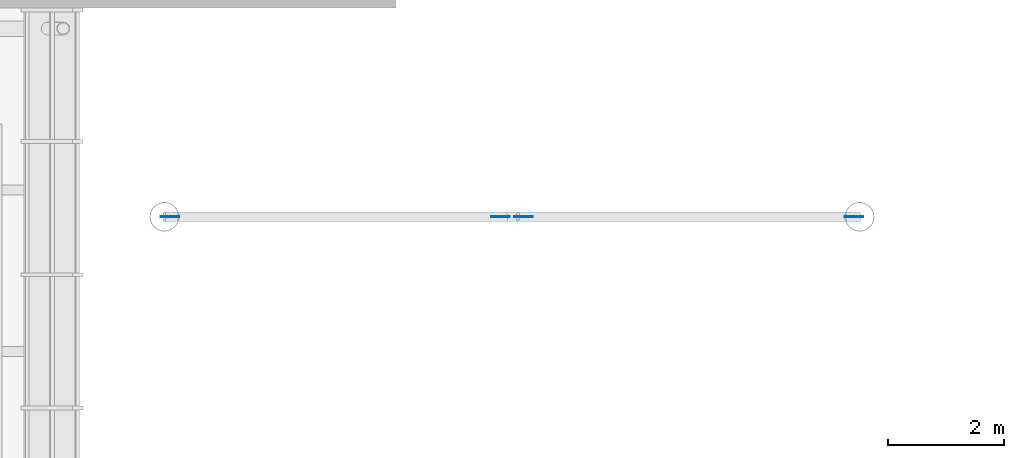
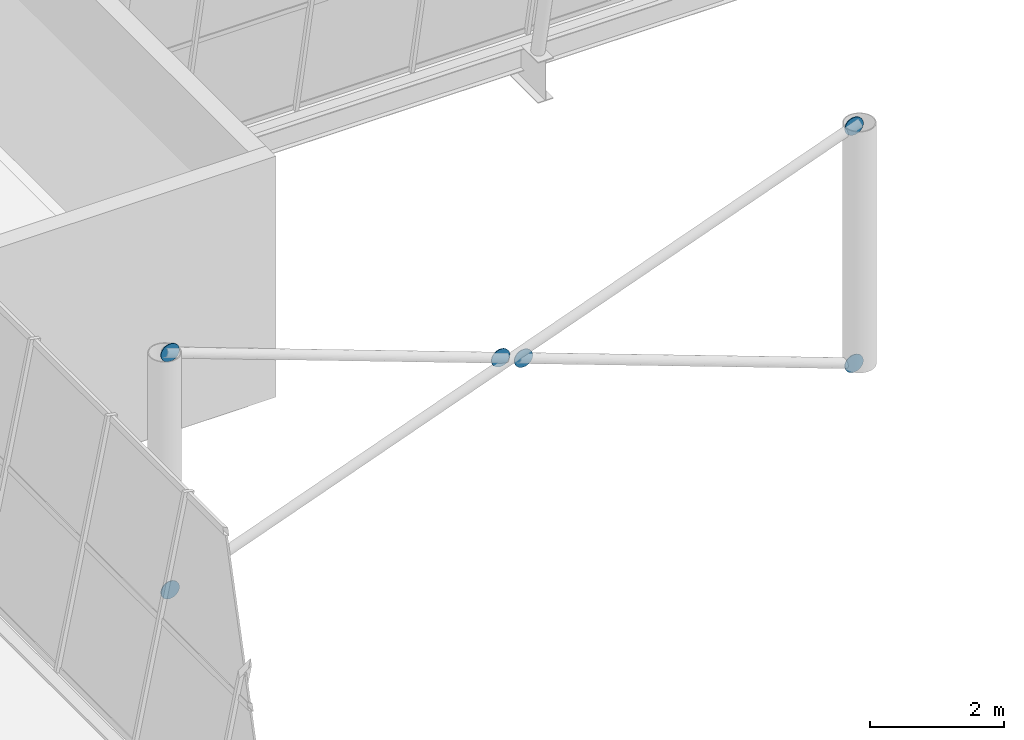
# One storey, part 41 of 58: 6 discrete accessories.
"""IFC4 building model written with IfcOpenShell, lengths in metres."""

from ifc_helpers import new_model, si_unit, direction, frame, origin, origin_2d, place, context, subcontext, project, spatial, circle, extrude, material, layer, layer_set, type_object, element, save


model = new_model("IFC4")

# Units and contexts
model_context = context("Model", 3, precision=1e-05, world=origin(), true_north=direction((0.0, 1.0)))
body_context = subcontext(model_context, "Body", "Model", "MODEL_VIEW")
ifc_project = project(units=[si_unit("LENGTHUNIT", "METRE"), si_unit("AREAUNIT", "SQUARE_METRE"), si_unit("VOLUMEUNIT", "CUBIC_METRE"), si_unit("PLANEANGLEUNIT", "RADIAN"), si_unit("MASSUNIT", "GRAM", prefix="KILO")], contexts=[model_context])

# Site, building, storey
site_placement = place(None, origin())
site = spatial("IfcSite", under=ifc_project, at=site_placement, CompositionType="ELEMENT")
building_placement = place(site_placement, origin())
building = spatial("IfcBuilding", under=site, at=building_placement, Name="Windward Yard Aquatics Centre", CompositionType="ELEMENT")
storey_placement = place(building_placement, frame((0.0, 0.0, 13.800048828125)))
storey = spatial("IfcBuildingStorey", under=building, at=storey_placement, Name="L03", CompositionType="ELEMENT", Elevation=13.800048828125)

# Discrete accessories
ifc_material = material(Name="Steel S355", Category="steel")
ifc_layer = layer(ifc_material, 0.011962890625)
ifc_layer_set = layer_set([ifc_layer], Name="Gusset plate 320 mm disc 12 mm")
discrete_accessory_type = type_object("IfcDiscreteAccessoryType", Name="Gusset plate 320 mm disc 12 mm", PredefinedType="USERDEFINED", material=ifc_layer_set)
for number, where, z_axis, x_axis, name in (
    (1, (60.093994140625, 80.39404296875, 0.034423828125), (0.0, 1.0, 0.0), (-1.0, 0.0, 0.0), "Gusset plate"),
    (2, (71.906005859375, 80.39404296875, 4.365478515625), (0.0, 1.0, 0.0), (-1.0, 0.0, 0.0), "Gusset plate"),
    (3, (60.093994140625, 80.39404296875, 4.365478515625), (0.0, 1.0, 0.0), (-1.0, 0.0, 0.0), "Gusset plate"),
    (4, (65.802734375, 80.39404296875, 2.272216796875), (0.0, 1.0, 0.0), (-1.0, 0.0, 0.0), "Gusset plate"),
    (5, (66.197265625, 80.39404296875, 2.127685546875), (0.0, 1.0, 0.0), (-1.0, 0.0, 0.0), "Gusset plate"),
    (6, (71.906005859375, 80.39404296875, 0.034423828125), (0.0, 1.0, 0.0), (-1.0, 0.0, 0.0), "Gusset plate"),
):
    element("IfcDiscreteAccessory", number, at=place(storey_placement, frame(where, z_axis=z_axis, x_axis=x_axis)), inside=storey, type_object=discrete_accessory_type, Name=name, ObjectType="GUSSET PLATE", PredefinedType="USERDEFINED", context=body_context, shape_type="SweptSolid", body=[
        extrude(circle(Radius=0.159912109375, at=origin_2d()), origin(), (0.0, 0.0, 1.0), 0.011962890625),
    ])

save(model, "model.ifc")
